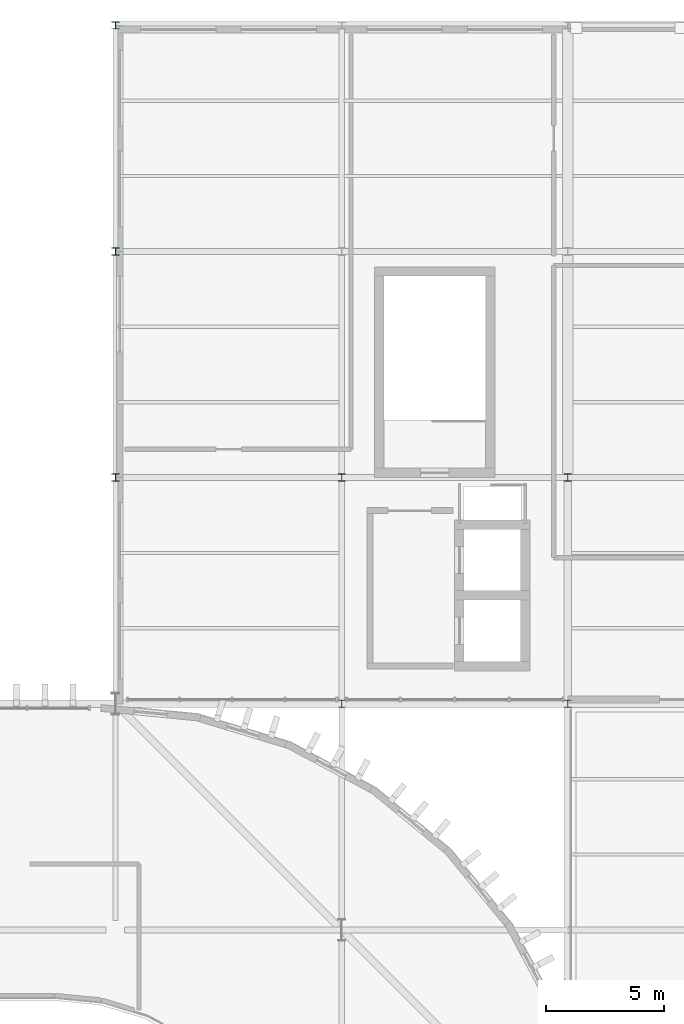
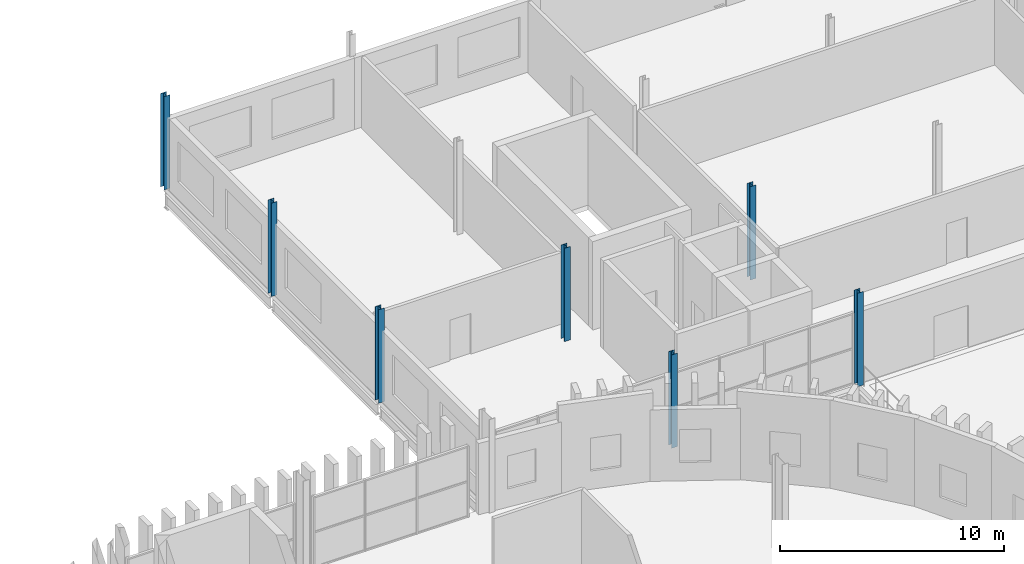
# One storey, part 5 of 45: 7 columns.
"""IFC4 building model written with IfcOpenShell, lengths in metres."""

import ifcopenshell
import ifcopenshell.guid

model = None  # the IFC model being written
_history = None  # IfcOwnerHistory: only IFC2X3 demands one
_inside = {}  # id of a spatial element -> (the spatial element, [elements in it])
_under = {}  # id of a project, library or spatial element -> (it, [spatial elements below it])
_declared = {}  # id of a project -> (the project, [libraries it declares])
_typed = {}  # id of a type object -> (the type object, [elements of that type])
_made_of = {}  # id of a material, layer set ... -> (it, [elements and type objects made of it])


def new_model(schema):
    """Start an empty IFC model of exactly this schema.

    Asked for "IFC4X3", IfcOpenShell would pick the latest addendum, in which some entities
    have other attributes; the version numbers below select the first issue.
    IFC2X3 requires an IfcOwnerHistory on every rooted entity: one is made here for all.
    """
    global model, _history
    if schema == "IFC4X3":
        model = ifcopenshell.file(schema_version=(4, 3, 0, 0))
    else:
        model = ifcopenshell.file(schema=schema)
    _inside.clear()
    _under.clear()
    _declared.clear()
    _typed.clear()
    _made_of.clear()
    _history = None
    if model.schema == "IFC2X3":
        org = make("IfcOrganization", Name="unknown")
        user = make(
            "IfcPersonAndOrganization",
            ThePerson=make("IfcPerson", FamilyName="unknown"),
            TheOrganization=org,
        )
        app = make(
            "IfcApplication",
            ApplicationDeveloper=org,
            Version="unknown",
            ApplicationFullName="unknown",
            ApplicationIdentifier="unknown",
        )
        _history = make(
            "IfcOwnerHistory",
            OwningUser=user,
            OwningApplication=app,
            ChangeAction="ADDED",
            CreationDate=0,
        )
    return model


def make(cls, **values):
    """One entity of the class cls with the attributes given. An attribute that is None is left unset."""
    return model.create_entity(
        cls, **{name: value for name, value in values.items() if value is not None}
    )


def rooted(cls, **values):
    """An entity with a GlobalId (a new one), such as an element, a storey or a relation."""
    return make(cls, GlobalId=ifcopenshell.guid.new(), OwnerHistory=_history, **values)


def si_unit(unit_type, name, prefix=None):
    """IfcSIUnit, for example si_unit("LENGTHUNIT", "METRE", prefix="MILLI")."""
    return make("IfcSIUnit", UnitType=unit_type, Prefix=prefix, Name=name)


def assignment(units):
    """IfcUnitAssignment: the units of a project."""
    return None if units is None else make("IfcUnitAssignment", Units=units)


def point(xyz):
    """IfcCartesianPoint."""
    return None if xyz is None else make("IfcCartesianPoint", Coordinates=xyz)


def direction(xyz):
    """IfcDirection."""
    return None if xyz is None else make("IfcDirection", DirectionRatios=xyz)


def frame(location, z_axis=None, x_axis=None):
    """IfcAxis2Placement3D, a coordinate frame: its origin and axes. An axis left out is left unset."""
    return make(
        "IfcAxis2Placement3D",
        Location=point(location),
        Axis=direction(z_axis),
        RefDirection=direction(x_axis),
    )


def frame_2d(location, x_axis=None):
    """IfcAxis2Placement2D, a coordinate frame in the plane: its origin and x axis."""
    return make(
        "IfcAxis2Placement2D", Location=point(location), RefDirection=direction(x_axis)
    )


def origin():
    """The frame at (0, 0, 0) with its axes left unset."""
    return frame((0.0, 0.0, 0.0))


def origin_2d():
    """The frame at (0, 0) in the plane with its x axis left unset."""
    return frame_2d((0.0, 0.0))


def place(relative_to, where):
    """IfcLocalPlacement: puts the frame where relative to a parent placement (None: the world)."""
    return make(
        "IfcLocalPlacement", PlacementRelTo=relative_to, RelativePlacement=where
    )


def context(
    kind, dimensions, precision=None, world=None, true_north=None, identifier=None
):
    """IfcGeometricRepresentationContext, for example the 3D "Model" context."""
    return make(
        "IfcGeometricRepresentationContext",
        ContextIdentifier=identifier,
        ContextType=kind,
        CoordinateSpaceDimension=dimensions,
        Precision=precision,
        WorldCoordinateSystem=world,
        TrueNorth=true_north,
    )


def subcontext(parent, identifier, kind, view, scale=None):
    """IfcGeometricRepresentationSubContext, for example "Body" below "Model"."""
    return make(
        "IfcGeometricRepresentationSubContext",
        ContextIdentifier=identifier,
        ContextType=kind,
        ParentContext=parent,
        TargetScale=scale,
        TargetView=view,
    )


def project(units=None, contexts=None):
    """IfcProject with its units and contexts."""
    return rooted(
        "IfcProject",
        Name="project",
        RepresentationContexts=contexts,
        UnitsInContext=assignment(units),
    )


def spatial(cls, under=None, at=None, **own):
    """A site, building, storey or space (cls), placed at a placement, below another one or the project."""
    s = rooted(cls, ObjectPlacement=at, **own)
    if under is not None:
        _under.setdefault(under.id(), (under, []))[1].append(s)
    return s


def profile(cls, at=None, kind="AREA", **sizes):
    """A parametric profile (cls). Its sizes go by their IFC names, for example OverallWidth=200.0."""
    return make(cls, ProfileType=kind, Position=at, **sizes)


def i_section(**sizes):
    """IfcIShapeProfileDef."""
    return profile("IfcIShapeProfileDef", **sizes)


def extrude(swept, where, along, depth):
    """IfcExtrudedAreaSolid: the profile swept, set in the frame where, extruded along a direction by depth."""
    return make(
        "IfcExtrudedAreaSolid",
        SweptArea=swept,
        Position=where,
        ExtrudedDirection=direction(along),
        Depth=depth,
    )


def shape(context_of_items, identifier, shape_type, items):
    """IfcShapeRepresentation: the items that make up one representation, for example the "Body"."""
    return make(
        "IfcShapeRepresentation",
        ContextOfItems=context_of_items,
        RepresentationIdentifier=identifier,
        RepresentationType=shape_type,
        Items=items,
    )


def material(Name=None, Category=None):
    """IfcMaterial."""
    return make("IfcMaterial", Name=Name, Category=Category)


def material_profile(
    of_material, cross_section, Name=None, Category=None, Priority=None
):
    """IfcMaterialProfile: a cross section and its material."""
    return make(
        "IfcMaterialProfile",
        Name=Name,
        Material=of_material,
        Profile=cross_section,
        Priority=Priority,
        Category=Category,
    )


def profile_set(profiles, Name=None, composite=None):
    """IfcMaterialProfileSet."""
    return make(
        "IfcMaterialProfileSet",
        Name=Name,
        MaterialProfiles=profiles,
        CompositeProfile=composite,
    )


def made_of(thing, what):
    """Note that an element or type object is made of a material, layer set ...; save() writes the relation."""
    if what is not None:
        _made_of.setdefault(what.id(), (what, []))[1].append(thing)
    return thing


def type_object(cls, material=None, **own):
    """A type object (cls), such as IfcWallType, which elements share."""
    return made_of(rooted(cls, **own), material)


def element(
    cls,
    number,
    at=None,
    inside=None,
    cuts=None,
    type_object=None,
    material=None,
    context=None,
    identifier="Body",
    shape_type=None,
    held_by="IfcProductDefinitionShape",
    body=None,
    shapes=None,
    **own,
):
    """One element of the class cls, such as IfcWall. Its Tag is "e" and its number.

    at: its placement. inside: the storey or other place that contains it. cuts: it is an
    opening in that element (IfcRelVoidsElement). A single representation is given by context,
    identifier, shape_type and body (its items); several are given by shapes. held_by: the class
    of the entity that holds the representations. save() writes the other relations.
    """
    e = rooted(cls, Tag="e%d" % number, ObjectPlacement=at, **own)
    if body is not None:
        shapes = [shape(context, identifier, shape_type, body)]
    if shapes is not None:
        e.Representation = make(held_by, Representations=shapes)
    if inside is not None:
        _inside.setdefault(inside.id(), (inside, []))[1].append(e)
    if cuts is not None:
        rooted(
            "IfcRelVoidsElement", RelatingBuildingElement=cuts, RelatedOpeningElement=e
        )
    if type_object is not None:
        _typed.setdefault(type_object.id(), (type_object, []))[1].append(e)
    return made_of(e, material)


def aggregate(whole, parts):
    """IfcRelAggregates: a whole, such as a stair, and the parts it consists of."""
    return rooted("IfcRelAggregates", RelatingObject=whole, RelatedObjects=parts)


def save(model, path):
    """Write the relations noted so far, then the file.

    IfcRelAggregates (storeys below a building ...), IfcRelContainedInSpatialStructure (elements
    in a storey), IfcRelDefinesByType, IfcRelAssociatesMaterial and IfcRelDeclares: one each for
    every whole, place, type object, material and project.
    """
    for whole, parts in _under.values():
        aggregate(whole, parts)
    for where, things in _inside.values():
        rooted(
            "IfcRelContainedInSpatialStructure",
            RelatedElements=things,
            RelatingStructure=where,
        )
    for kind, things in _typed.values():
        rooted("IfcRelDefinesByType", RelatedObjects=things, RelatingType=kind)
    for what, things in _made_of.values():
        rooted("IfcRelAssociatesMaterial", RelatedObjects=things, RelatingMaterial=what)
    for by, libraries in _declared.values():
        rooted("IfcRelDeclares", RelatingContext=by, RelatedDefinitions=libraries)
    model.write(path)


model = new_model("IFC4")

# Units and contexts
model_context = context("Model", 3, precision=1e-05, world=origin(), true_north=direction((0.0, 1.0)))
body_context = subcontext(model_context, "Body", "Model", "MODEL_VIEW")
ifc_project = project(units=[si_unit("LENGTHUNIT", "METRE"), si_unit("AREAUNIT", "SQUARE_METRE"), si_unit("VOLUMEUNIT", "CUBIC_METRE"), si_unit("PLANEANGLEUNIT", "RADIAN"), si_unit("MASSUNIT", "GRAM", prefix="KILO")], contexts=[model_context])

# Site, building, storey
site_placement = place(None, origin())
site = spatial("IfcSite", under=ifc_project, at=site_placement, CompositionType="ELEMENT")
building_placement = place(site_placement, origin())
building = spatial("IfcBuilding", under=site, at=building_placement, Name="Caelomonte Colonnade Arena", CompositionType="ELEMENT")
storey_placement = place(building_placement, frame((0.0, 0.0, 23.10009765625)))
storey = spatial("IfcBuildingStorey", under=building, at=storey_placement, Name="L05", CompositionType="ELEMENT", Elevation=23.10009765625)

# Columns
ifc_material = material(Name="Wide-flange steel ASTM A992 Grade 50", Category="steel")
ifc_material_profile = material_profile(ifc_material, i_section(OverallWidth=0.3046875, OverallDepth=0.307861328125, WebThickness=0.010009765625, FlangeThickness=0.015380859375, FilletRadius=0.0126953125, at=origin_2d()), Name="W12X65")
ifc_profile_set = profile_set([ifc_material_profile], Name="Wide-flange steel ASTM A992 Grade 50")
column_type = type_object("IfcColumnType", Name="STR-COL-W12A", PredefinedType="COLUMN", material=ifc_profile_set)
for number, where, z_axis, x_axis, name in (
    (1, (144.0, 124.800048828125, 0.0), (0.0, 0.0, 1.0), (1.0, 0.0, 0.0), "L05 column (144.0, 124.8)"),
    (2, (144.0, 134.39990234375, 0.0), (0.0, 0.0, 1.0), (1.0, 0.0, 0.0), "L05 column (144.0, 134.4)"),
    (3, (144.0, 144.0, 0.0), (0.0, 0.0, 1.0), (1.0, 0.0, 0.0), "L05 column (144.0, 144.0)"),
    (4, (153.60009765625, 115.199951171875, 0.0), (0.0, 0.0, 1.0), (1.0, 0.0, 0.0), "L05 column (153.6, 115.2)"),
    (5, (153.60009765625, 124.800048828125, 0.0), (0.0, 0.0, 1.0), (1.0, 0.0, 0.0), "L05 column (153.6, 124.8)"),
    (6, (163.199951171875, 115.199951171875, 0.0), (0.0, 0.0, 1.0), (1.0, 0.0, 0.0), "L05 column (163.2, 115.2)"),
    (7, (163.199951171875, 124.800048828125, 0.0), (0.0, 0.0, 1.0), (1.0, 0.0, 0.0), "L05 column (163.2, 124.8)"),
):
    element("IfcColumn", number, at=place(storey_placement, frame(where, z_axis=z_axis, x_axis=x_axis)), inside=storey, type_object=column_type, Name=name, PredefinedType="COLUMN", context=body_context, shape_type="SweptSolid", body=[
        extrude(i_section(OverallWidth=0.3046875, OverallDepth=0.307861328125, WebThickness=0.010009765625, FlangeThickness=0.015380859375, FilletRadius=0.0126953125, at=origin_2d()), origin(), (0.0, 0.0, 1.0), 5.099853515625),
    ])

save(model, "model.ifc")
